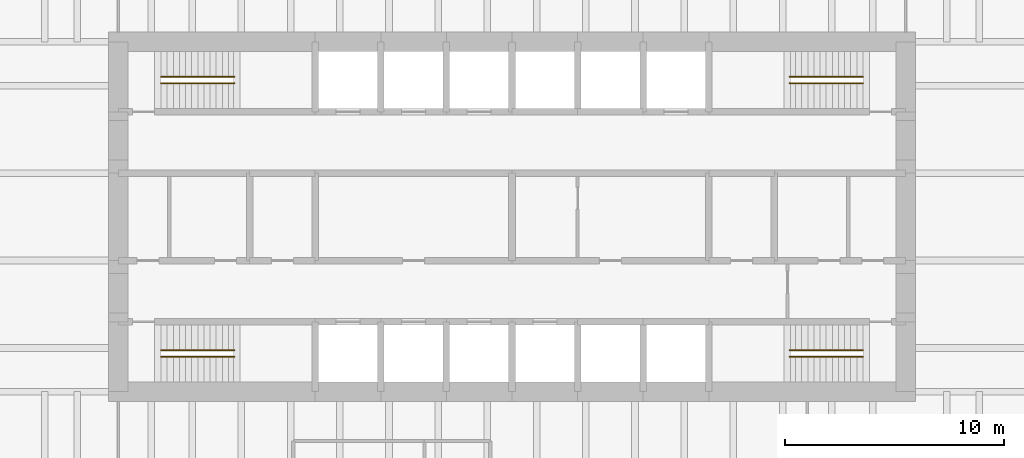
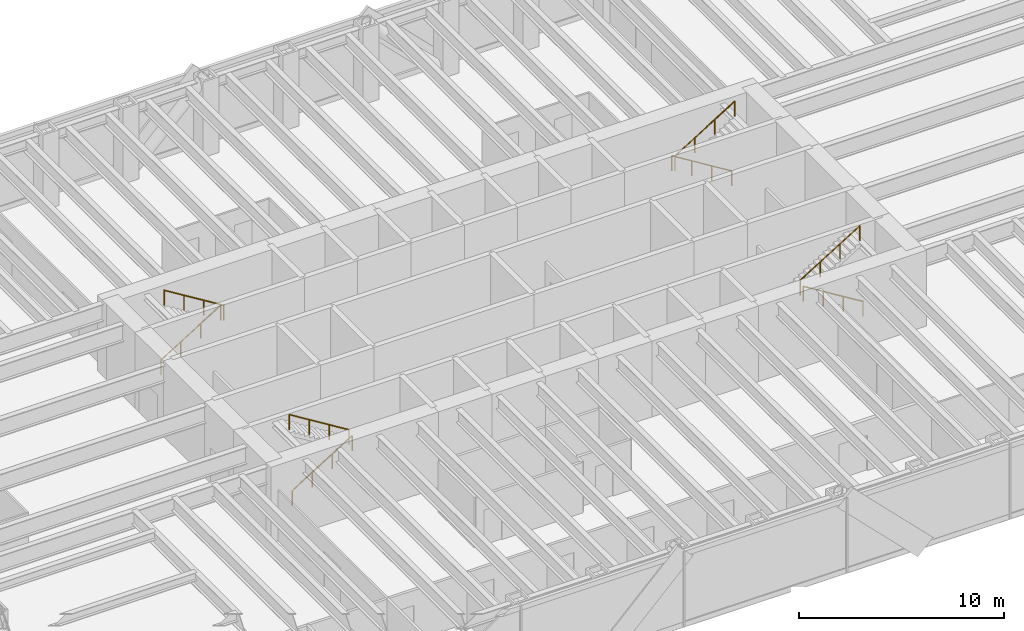
# One storey, part 13 of 13: 8 railings.
"""IFC4 building model written with IfcOpenShell, lengths in metres."""

import ifcopenshell
import ifcopenshell.guid

model = None  # the IFC model being written
_history = None  # IfcOwnerHistory: only IFC2X3 demands one
_inside = {}  # id of a spatial element -> (the spatial element, [elements in it])
_under = {}  # id of a project, library or spatial element -> (it, [spatial elements below it])
_declared = {}  # id of a project -> (the project, [libraries it declares])
_typed = {}  # id of a type object -> (the type object, [elements of that type])
_made_of = {}  # id of a material, layer set ... -> (it, [elements and type objects made of it])


def new_model(schema):
    """Start an empty IFC model of exactly this schema.

    Asked for "IFC4X3", IfcOpenShell would pick the latest addendum, in which some entities
    have other attributes; the version numbers below select the first issue.
    IFC2X3 requires an IfcOwnerHistory on every rooted entity: one is made here for all.
    """
    global model, _history
    if schema == "IFC4X3":
        model = ifcopenshell.file(schema_version=(4, 3, 0, 0))
    else:
        model = ifcopenshell.file(schema=schema)
    _inside.clear()
    _under.clear()
    _declared.clear()
    _typed.clear()
    _made_of.clear()
    _history = None
    if model.schema == "IFC2X3":
        org = make("IfcOrganization", Name="unknown")
        user = make(
            "IfcPersonAndOrganization",
            ThePerson=make("IfcPerson", FamilyName="unknown"),
            TheOrganization=org,
        )
        app = make(
            "IfcApplication",
            ApplicationDeveloper=org,
            Version="unknown",
            ApplicationFullName="unknown",
            ApplicationIdentifier="unknown",
        )
        _history = make(
            "IfcOwnerHistory",
            OwningUser=user,
            OwningApplication=app,
            ChangeAction="ADDED",
            CreationDate=0,
        )
    return model


def make(cls, **values):
    """One entity of the class cls with the attributes given. An attribute that is None is left unset."""
    return model.create_entity(
        cls, **{name: value for name, value in values.items() if value is not None}
    )


def rooted(cls, **values):
    """An entity with a GlobalId (a new one), such as an element, a storey or a relation."""
    return make(cls, GlobalId=ifcopenshell.guid.new(), OwnerHistory=_history, **values)


def si_unit(unit_type, name, prefix=None):
    """IfcSIUnit, for example si_unit("LENGTHUNIT", "METRE", prefix="MILLI")."""
    return make("IfcSIUnit", UnitType=unit_type, Prefix=prefix, Name=name)


def assignment(units):
    """IfcUnitAssignment: the units of a project."""
    return None if units is None else make("IfcUnitAssignment", Units=units)


def point(xyz):
    """IfcCartesianPoint."""
    return None if xyz is None else make("IfcCartesianPoint", Coordinates=xyz)


def direction(xyz):
    """IfcDirection."""
    return None if xyz is None else make("IfcDirection", DirectionRatios=xyz)


def frame(location, z_axis=None, x_axis=None):
    """IfcAxis2Placement3D, a coordinate frame: its origin and axes. An axis left out is left unset."""
    return make(
        "IfcAxis2Placement3D",
        Location=point(location),
        Axis=direction(z_axis),
        RefDirection=direction(x_axis),
    )


def frame_2d(location, x_axis=None):
    """IfcAxis2Placement2D, a coordinate frame in the plane: its origin and x axis."""
    return make(
        "IfcAxis2Placement2D", Location=point(location), RefDirection=direction(x_axis)
    )


def origin():
    """The frame at (0, 0, 0) with its axes left unset."""
    return frame((0.0, 0.0, 0.0))


def origin_2d():
    """The frame at (0, 0) in the plane with its x axis left unset."""
    return frame_2d((0.0, 0.0))


def place(relative_to, where):
    """IfcLocalPlacement: puts the frame where relative to a parent placement (None: the world)."""
    return make(
        "IfcLocalPlacement", PlacementRelTo=relative_to, RelativePlacement=where
    )


def context(
    kind, dimensions, precision=None, world=None, true_north=None, identifier=None
):
    """IfcGeometricRepresentationContext, for example the 3D "Model" context."""
    return make(
        "IfcGeometricRepresentationContext",
        ContextIdentifier=identifier,
        ContextType=kind,
        CoordinateSpaceDimension=dimensions,
        Precision=precision,
        WorldCoordinateSystem=world,
        TrueNorth=true_north,
    )


def subcontext(parent, identifier, kind, view, scale=None):
    """IfcGeometricRepresentationSubContext, for example "Body" below "Model"."""
    return make(
        "IfcGeometricRepresentationSubContext",
        ContextIdentifier=identifier,
        ContextType=kind,
        ParentContext=parent,
        TargetScale=scale,
        TargetView=view,
    )


def project(units=None, contexts=None):
    """IfcProject with its units and contexts."""
    return rooted(
        "IfcProject",
        Name="project",
        RepresentationContexts=contexts,
        UnitsInContext=assignment(units),
    )


def spatial(cls, under=None, at=None, **own):
    """A site, building, storey or space (cls), placed at a placement, below another one or the project."""
    s = rooted(cls, ObjectPlacement=at, **own)
    if under is not None:
        _under.setdefault(under.id(), (under, []))[1].append(s)
    return s


def profile(cls, at=None, kind="AREA", **sizes):
    """A parametric profile (cls). Its sizes go by their IFC names, for example OverallWidth=200.0."""
    return make(cls, ProfileType=kind, Position=at, **sizes)


def circle(**sizes):
    """IfcCircleProfileDef."""
    return profile("IfcCircleProfileDef", **sizes)


def extrude(swept, where, along, depth):
    """IfcExtrudedAreaSolid: the profile swept, set in the frame where, extruded along a direction by depth."""
    return make(
        "IfcExtrudedAreaSolid",
        SweptArea=swept,
        Position=where,
        ExtrudedDirection=direction(along),
        Depth=depth,
    )


def shape(context_of_items, identifier, shape_type, items):
    """IfcShapeRepresentation: the items that make up one representation, for example the "Body"."""
    return make(
        "IfcShapeRepresentation",
        ContextOfItems=context_of_items,
        RepresentationIdentifier=identifier,
        RepresentationType=shape_type,
        Items=items,
    )


def material(Name=None, Category=None):
    """IfcMaterial."""
    return make("IfcMaterial", Name=Name, Category=Category)


def made_of(thing, what):
    """Note that an element or type object is made of a material, layer set ...; save() writes the relation."""
    if what is not None:
        _made_of.setdefault(what.id(), (what, []))[1].append(thing)
    return thing


def type_object(cls, material=None, **own):
    """A type object (cls), such as IfcWallType, which elements share."""
    return made_of(rooted(cls, **own), material)


def element(
    cls,
    number,
    at=None,
    inside=None,
    cuts=None,
    type_object=None,
    material=None,
    context=None,
    identifier="Body",
    shape_type=None,
    held_by="IfcProductDefinitionShape",
    body=None,
    shapes=None,
    **own,
):
    """One element of the class cls, such as IfcWall. Its Tag is "e" and its number.

    at: its placement. inside: the storey or other place that contains it. cuts: it is an
    opening in that element (IfcRelVoidsElement). A single representation is given by context,
    identifier, shape_type and body (its items); several are given by shapes. held_by: the class
    of the entity that holds the representations. save() writes the other relations.
    """
    e = rooted(cls, Tag="e%d" % number, ObjectPlacement=at, **own)
    if body is not None:
        shapes = [shape(context, identifier, shape_type, body)]
    if shapes is not None:
        e.Representation = make(held_by, Representations=shapes)
    if inside is not None:
        _inside.setdefault(inside.id(), (inside, []))[1].append(e)
    if cuts is not None:
        rooted(
            "IfcRelVoidsElement", RelatingBuildingElement=cuts, RelatedOpeningElement=e
        )
    if type_object is not None:
        _typed.setdefault(type_object.id(), (type_object, []))[1].append(e)
    return made_of(e, material)


def aggregate(whole, parts):
    """IfcRelAggregates: a whole, such as a stair, and the parts it consists of."""
    return rooted("IfcRelAggregates", RelatingObject=whole, RelatedObjects=parts)


def save(model, path):
    """Write the relations noted so far, then the file.

    IfcRelAggregates (storeys below a building ...), IfcRelContainedInSpatialStructure (elements
    in a storey), IfcRelDefinesByType, IfcRelAssociatesMaterial and IfcRelDeclares: one each for
    every whole, place, type object, material and project.
    """
    for whole, parts in _under.values():
        aggregate(whole, parts)
    for where, things in _inside.values():
        rooted(
            "IfcRelContainedInSpatialStructure",
            RelatedElements=things,
            RelatingStructure=where,
        )
    for kind, things in _typed.values():
        rooted("IfcRelDefinesByType", RelatedObjects=things, RelatingType=kind)
    for what, things in _made_of.values():
        rooted("IfcRelAssociatesMaterial", RelatedObjects=things, RelatingMaterial=what)
    for by, libraries in _declared.values():
        rooted("IfcRelDeclares", RelatingContext=by, RelatedDefinitions=libraries)
    model.write(path)


model = new_model("IFC4")

# Units and contexts
model_context = context("Model", 3, precision=1e-05, world=origin(), true_north=direction((0.0, 1.0)))
body_context = subcontext(model_context, "Body", "Model", "MODEL_VIEW")
ifc_project = project(units=[si_unit("LENGTHUNIT", "METRE"), si_unit("AREAUNIT", "SQUARE_METRE"), si_unit("VOLUMEUNIT", "CUBIC_METRE"), si_unit("PLANEANGLEUNIT", "RADIAN"), si_unit("MASSUNIT", "GRAM", prefix="KILO")], contexts=[model_context])

# Site, building, storey
site_placement = place(None, origin())
site = spatial("IfcSite", under=ifc_project, at=site_placement, CompositionType="ELEMENT")
building_placement = place(site_placement, origin())
building = spatial("IfcBuilding", under=site, at=building_placement, Name="Rheinbord Bourse Tower", CompositionType="ELEMENT")
storey_placement = place(building_placement, frame((0.0, 0.0, 86.0)))
storey = spatial("IfcBuildingStorey", under=building, at=storey_placement, Name="L18", CompositionType="ELEMENT", Elevation=86.0)

# Railings
ifc_material = material(Name="Steel handrail", Category="steel")
railing_type = type_object("IfcRailingType", Name="HANDRAIL 900", PredefinedType="HANDRAIL", material=ifc_material)
railing_1_placement = place(storey_placement, frame((19.949951171875, 17.60009765625, 0.173095703125)))
element("IfcRailing", 1, at=railing_1_placement, inside=storey, type_object=railing_type, Name="Handrail", PredefinedType="HANDRAIL", context=body_context, shape_type="SweptSolid", body=[
    extrude(circle(Radius=0.02392578125, at=origin_2d()), frame((0.0, 0.0, 0.8759765625), z_axis=(0.850623216509, 0.0, 0.525775754039), x_axis=(0.0, 1.0, 0.0)), (0.0, 0.0, 1.0), 3.9501953125),
    extrude(circle(Radius=0.02099609375, at=origin_2d()), origin(), (0.0, 0.0, 1.0), 0.851806640625),
    extrude(circle(Radius=0.02099609375, at=origin_2d()), frame((1.1201171875, 0.0, 0.6923828125)), (0.0, 0.0, 1.0), 0.851806640625),
    extrude(circle(Radius=0.02099609375, at=origin_2d()), frame((2.239990234375, 0.0, 1.384521484375)), (0.0, 0.0, 1.0), 0.851806640625),
    extrude(circle(Radius=0.02099609375, at=origin_2d()), frame((3.360107421875, 0.0, 2.076904296875)), (0.0, 0.0, 1.0), 0.851806640625),
])
railing_2_placement = place(storey_placement, frame((23.31005859375, 17.89990234375, 2.423095703125)))
element("IfcRailing", 2, at=railing_2_placement, inside=storey, type_object=railing_type, Name="Handrail", PredefinedType="HANDRAIL", context=body_context, shape_type="SweptSolid", body=[
    extrude(circle(Radius=0.02392578125, at=origin_2d()), frame((0.0, 0.0, 0.8759765625), z_axis=(-0.850623216509, 0.0, 0.525775754039), x_axis=(0.0, -1.0, 0.0)), (0.0, 0.0, 1.0), 3.9501953125),
    extrude(circle(Radius=0.02099609375, at=origin_2d()), origin(), (0.0, 0.0, 1.0), 0.851806640625),
    extrude(circle(Radius=0.02099609375, at=origin_2d()), frame((-1.1201171875, 0.0, 0.6923828125)), (0.0, 0.0, 1.0), 0.851806640625),
    extrude(circle(Radius=0.02099609375, at=origin_2d()), frame((-2.239990234375, 0.0, 1.384521484375)), (0.0, 0.0, 1.0), 0.851806640625),
    extrude(circle(Radius=0.02099609375, at=origin_2d()), frame((-3.360107421875, 0.0, 2.076904296875)), (0.0, 0.0, 1.0), 0.851806640625),
])
railing_3_placement = place(storey_placement, frame((19.949951171875, 30.39990234375, 0.173095703125)))
element("IfcRailing", 3, at=railing_3_placement, inside=storey, type_object=railing_type, Name="Handrail", PredefinedType="HANDRAIL", context=body_context, shape_type="SweptSolid", body=[
    extrude(circle(Radius=0.02392578125, at=origin_2d()), frame((0.0, 0.0, 0.8759765625), z_axis=(0.850623216509, 0.0, 0.525775754039), x_axis=(0.0, 1.0, 0.0)), (0.0, 0.0, 1.0), 3.9501953125),
    extrude(circle(Radius=0.02099609375, at=origin_2d()), origin(), (0.0, 0.0, 1.0), 0.851806640625),
    extrude(circle(Radius=0.02099609375, at=origin_2d()), frame((1.1201171875, 0.0, 0.6923828125)), (0.0, 0.0, 1.0), 0.851806640625),
    extrude(circle(Radius=0.02099609375, at=origin_2d()), frame((2.239990234375, 0.0, 1.384521484375)), (0.0, 0.0, 1.0), 0.851806640625),
    extrude(circle(Radius=0.02099609375, at=origin_2d()), frame((3.360107421875, 0.0, 2.076904296875)), (0.0, 0.0, 1.0), 0.851806640625),
])
for number, where, name in (
    (4, (23.31005859375, 30.10009765625, 2.423095703125), "Handrail"),
    (5, (52.050048828125, 17.60009765625, 0.173095703125), "Handrail"),
):
    element("IfcRailing", number, at=place(storey_placement, frame(where)), inside=storey, type_object=railing_type, Name=name, PredefinedType="HANDRAIL", context=body_context, shape_type="SweptSolid", body=[
        extrude(circle(Radius=0.02392578125, at=origin_2d()), frame((0.0, 0.0, 0.8759765625), z_axis=(-0.850623216509, 0.0, 0.525775754039), x_axis=(0.0, -1.0, 0.0)), (0.0, 0.0, 1.0), 3.9501953125),
        extrude(circle(Radius=0.02099609375, at=origin_2d()), origin(), (0.0, 0.0, 1.0), 0.851806640625),
        extrude(circle(Radius=0.02099609375, at=origin_2d()), frame((-1.1201171875, 0.0, 0.6923828125)), (0.0, 0.0, 1.0), 0.851806640625),
        extrude(circle(Radius=0.02099609375, at=origin_2d()), frame((-2.239990234375, 0.0, 1.384521484375)), (0.0, 0.0, 1.0), 0.851806640625),
        extrude(circle(Radius=0.02099609375, at=origin_2d()), frame((-3.360107421875, 0.0, 2.076904296875)), (0.0, 0.0, 1.0), 0.851806640625),
    ])
railing_4_placement = place(storey_placement, frame((48.68994140625, 17.89990234375, 2.423095703125)))
element("IfcRailing", 6, at=railing_4_placement, inside=storey, type_object=railing_type, Name="Handrail", PredefinedType="HANDRAIL", context=body_context, shape_type="SweptSolid", body=[
    extrude(circle(Radius=0.02392578125, at=origin_2d()), frame((0.0, 0.0, 0.8759765625), z_axis=(0.850623216509, 0.0, 0.525775754039), x_axis=(0.0, 1.0, 0.0)), (0.0, 0.0, 1.0), 3.9501953125),
    extrude(circle(Radius=0.02099609375, at=origin_2d()), origin(), (0.0, 0.0, 1.0), 0.851806640625),
    extrude(circle(Radius=0.02099609375, at=origin_2d()), frame((1.1201171875, 0.0, 0.6923828125)), (0.0, 0.0, 1.0), 0.851806640625),
    extrude(circle(Radius=0.02099609375, at=origin_2d()), frame((2.239990234375, 0.0, 1.384521484375)), (0.0, 0.0, 1.0), 0.851806640625),
    extrude(circle(Radius=0.02099609375, at=origin_2d()), frame((3.360107421875, 0.0, 2.076904296875)), (0.0, 0.0, 1.0), 0.851806640625),
])
railing_5_placement = place(storey_placement, frame((52.050048828125, 30.39990234375, 0.173095703125)))
element("IfcRailing", 7, at=railing_5_placement, inside=storey, type_object=railing_type, Name="Handrail", PredefinedType="HANDRAIL", context=body_context, shape_type="SweptSolid", body=[
    extrude(circle(Radius=0.02392578125, at=origin_2d()), frame((0.0, 0.0, 0.8759765625), z_axis=(-0.850623216509, 0.0, 0.525775754039), x_axis=(0.0, -1.0, 0.0)), (0.0, 0.0, 1.0), 3.9501953125),
    extrude(circle(Radius=0.02099609375, at=origin_2d()), origin(), (0.0, 0.0, 1.0), 0.851806640625),
    extrude(circle(Radius=0.02099609375, at=origin_2d()), frame((-1.1201171875, 0.0, 0.6923828125)), (0.0, 0.0, 1.0), 0.851806640625),
    extrude(circle(Radius=0.02099609375, at=origin_2d()), frame((-2.239990234375, 0.0, 1.384521484375)), (0.0, 0.0, 1.0), 0.851806640625),
    extrude(circle(Radius=0.02099609375, at=origin_2d()), frame((-3.360107421875, 0.0, 2.076904296875)), (0.0, 0.0, 1.0), 0.851806640625),
])
railing_6_placement = place(storey_placement, frame((48.68994140625, 30.10009765625, 2.423095703125)))
element("IfcRailing", 8, at=railing_6_placement, inside=storey, type_object=railing_type, Name="Handrail", PredefinedType="HANDRAIL", context=body_context, shape_type="SweptSolid", body=[
    extrude(circle(Radius=0.02392578125, at=origin_2d()), frame((0.0, 0.0, 0.8759765625), z_axis=(0.850623216509, 0.0, 0.525775754039), x_axis=(0.0, 1.0, 0.0)), (0.0, 0.0, 1.0), 3.9501953125),
    extrude(circle(Radius=0.02099609375, at=origin_2d()), origin(), (0.0, 0.0, 1.0), 0.851806640625),
    extrude(circle(Radius=0.02099609375, at=origin_2d()), frame((1.1201171875, 0.0, 0.6923828125)), (0.0, 0.0, 1.0), 0.851806640625),
    extrude(circle(Radius=0.02099609375, at=origin_2d()), frame((2.239990234375, 0.0, 1.384521484375)), (0.0, 0.0, 1.0), 0.851806640625),
    extrude(circle(Radius=0.02099609375, at=origin_2d()), frame((3.360107421875, 0.0, 2.076904296875)), (0.0, 0.0, 1.0), 0.851806640625),
])

save(model, "model.ifc")
